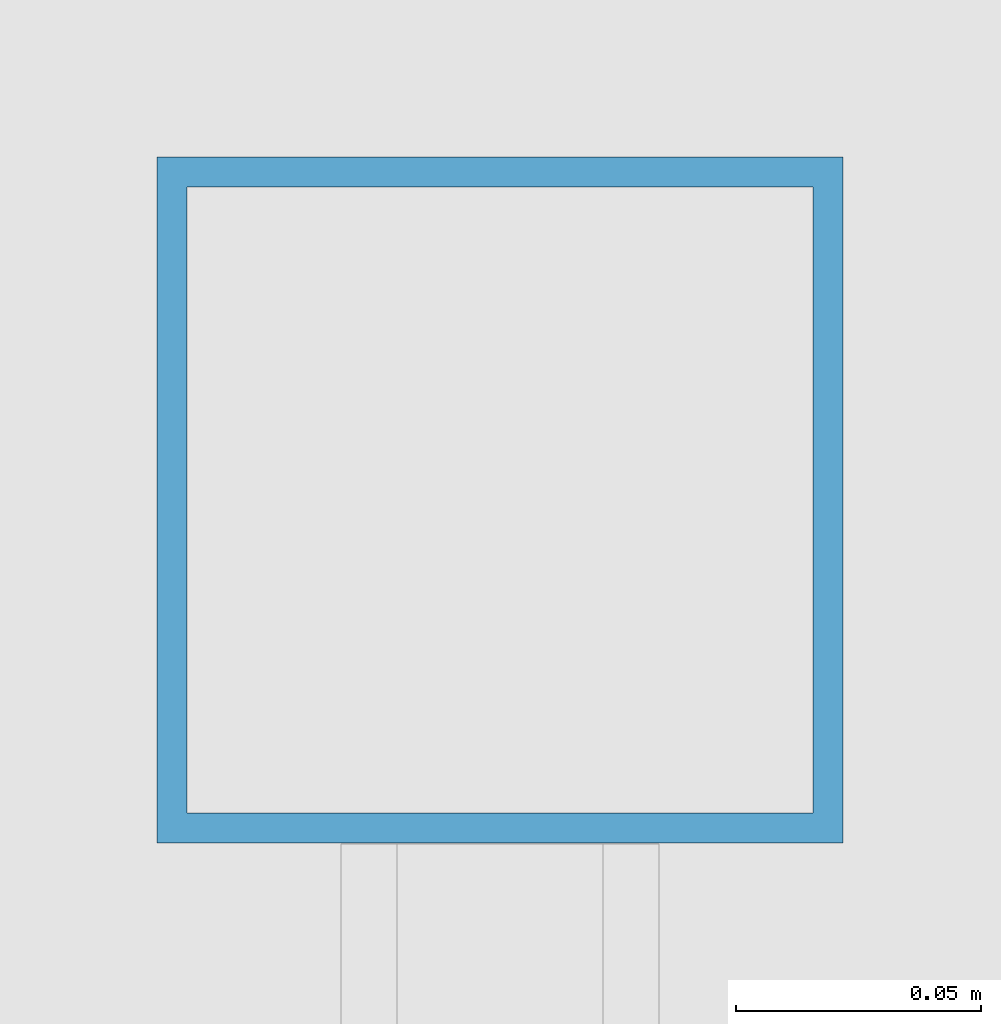
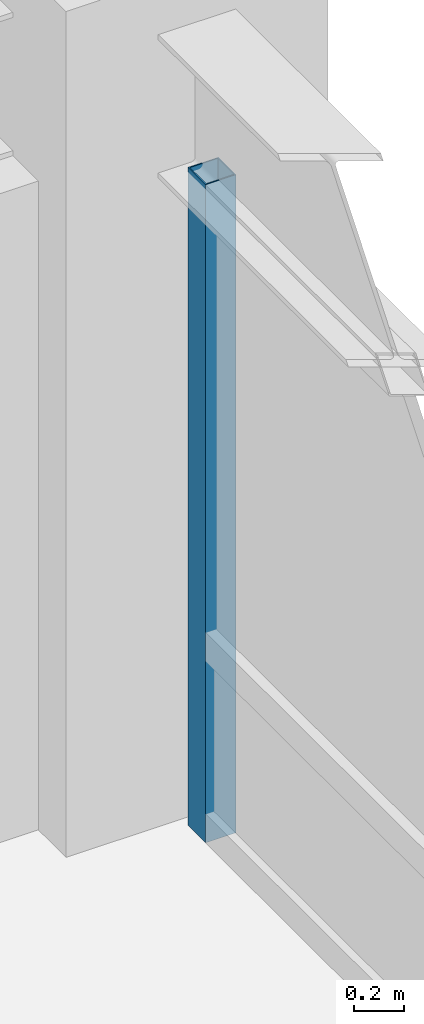
# One storey, part 16 of 27: 1 member, 1 element without a shape of its own.
"""IFC4 building model written with IfcOpenShell, lengths in metres."""

from ifc_helpers import new_model, si_unit, direction, frame, origin, origin_2d, place, context, subcontext, project, spatial, hollow_rectangle, extrude, source, transform, mapped, material, material_profile, profile_set, type_object, element, aggregate, save


model = new_model("IFC4")

# Units and contexts
model_context = context("Model", 3, precision=1e-05, world=origin(), true_north=direction((0.0, 1.0)))
body_context = subcontext(model_context, "Body", "Model", "MODEL_VIEW")
ifc_project = project(units=[si_unit("LENGTHUNIT", "METRE"), si_unit("AREAUNIT", "SQUARE_METRE"), si_unit("VOLUMEUNIT", "CUBIC_METRE"), si_unit("PLANEANGLEUNIT", "RADIAN"), si_unit("MASSUNIT", "GRAM", prefix="KILO")], contexts=[model_context])

# Site, building, storey
site_placement = place(None, origin())
site = spatial("IfcSite", under=ifc_project, at=site_placement, CompositionType="ELEMENT")
building_placement = place(site_placement, origin())
building = spatial("IfcBuilding", under=site, at=building_placement, Name="Khorayat Bourse Tower", CompositionType="ELEMENT")
storey_placement = place(building_placement, frame((0.0, 0.0, 140.60009765625)))
storey = spatial("IfcBuildingStorey", under=building, at=storey_placement, Name="L32", CompositionType="ELEMENT", Elevation=140.60009765625)

# Curtain wall, member
ifc_material = material(Name="Aluminium EN AW-6063 T6", Category="aluminium")
curtain_wall_type = type_object("IfcCurtainWallType", Name="CW-SYS-02", PredefinedType="NOTDEFINED", material=ifc_material)
curtain_wall_placement = place(storey_placement, origin())
curtain_wall = element("IfcCurtainWall", 1, at=curtain_wall_placement, inside=storey, type_object=curtain_wall_type, Name="L32 Curtain Wall CW-L32-E1", PredefinedType="NOTDEFINED")
ifc_material_profile = material_profile(ifc_material, hollow_rectangle(XDim=0.139892578125, YDim=0.139892578125, WallThickness=0.006103515625, at=origin_2d()), Name="ALU 140x140x6")
ifc_profile_set = profile_set([ifc_material_profile], Name="Aluminium EN AW-6063 T6")
member_type = type_object("IfcMemberType", Name="CWM-VERT-140", PredefinedType="MULLION", material=ifc_profile_set)
shared_shape = source(origin(), body_context, "Body", "SweptSolid", [
    extrude(hollow_rectangle(XDim=0.139892578125, YDim=0.139892578125, WallThickness=0.006103515625, at=origin_2d()), origin(), (0.0, 0.0, 1.0), 3.18994140625),
])
member_placement = place(storey_placement, frame((32.0, 27.280029296875, 0.0), z_axis=(0.0, 0.0, 1.0), x_axis=(-1.0, 0.0, 0.0)))
member = element("IfcMember", 2, at=member_placement, type_object=member_type, Name="CW-L32-E1 Vertical Mullion 3", PredefinedType="MULLION", context=body_context, shape_type="MappedRepresentation", body=[
    mapped(shared_shape, transform((0.0, 0.0, 0.0), scale=1.0)),
])
aggregate(curtain_wall, [member])

save(model, "model.ifc")
